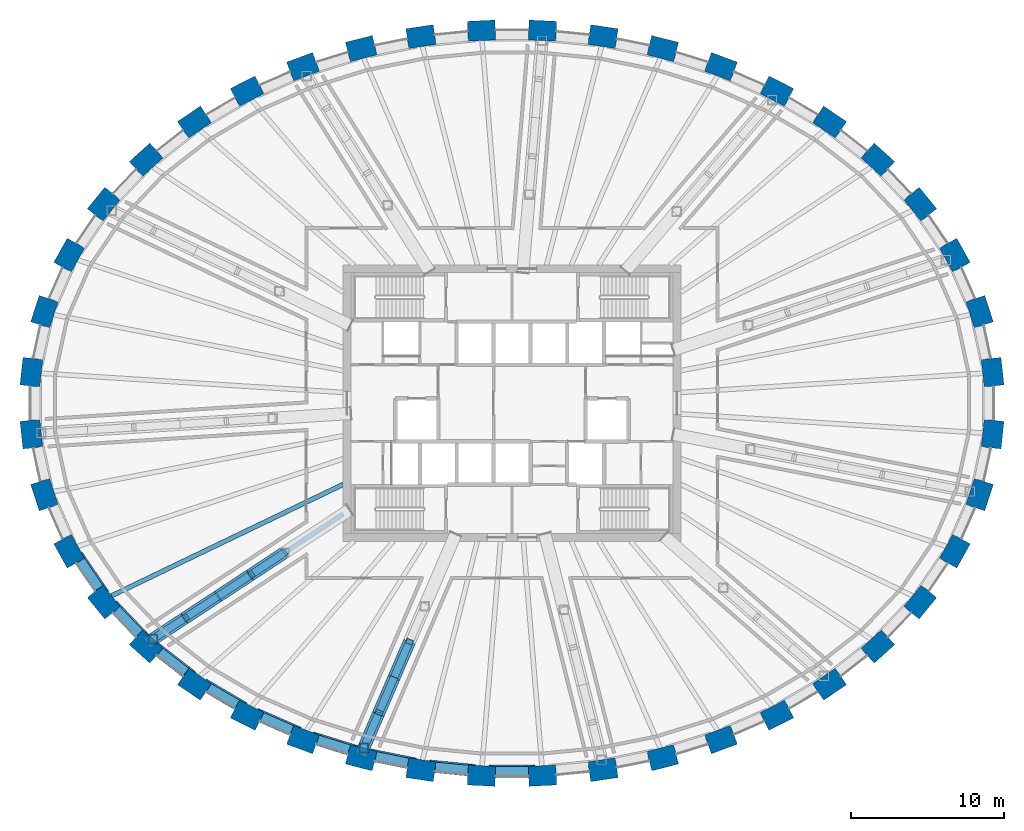
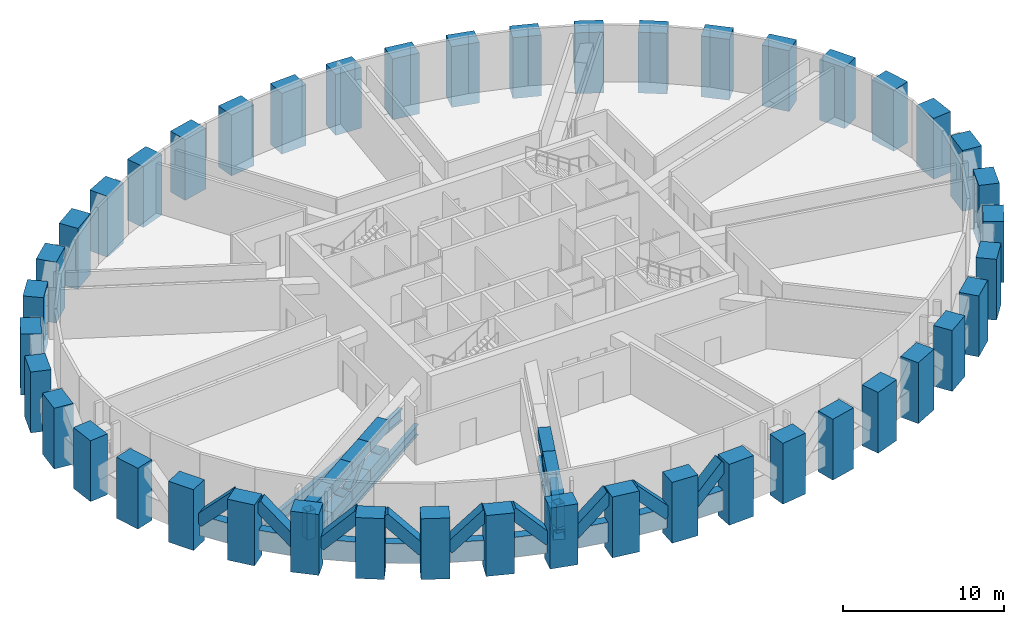
# One storey, part 1 of 12: 44 columns, 32 members, 11 beams.
"""IFC4 building model written with IfcOpenShell, lengths in metres."""

from ifc_helpers import new_model, si_unit, direction, frame, origin, origin_2d, place, context, subcontext, project, spatial, rectangle, hollow_rectangle, i_section, extrude, source, transform, mapped, material, material_profile, profile_set, type_object, element, save


model = new_model("IFC4")

# Units and contexts
model_context = context("Model", 3, precision=1e-05, world=origin(), true_north=direction((0.0, 1.0)))
body_context = subcontext(model_context, "Body", "Model", "MODEL_VIEW")
ifc_project = project(units=[si_unit("LENGTHUNIT", "METRE"), si_unit("AREAUNIT", "SQUARE_METRE"), si_unit("VOLUMEUNIT", "CUBIC_METRE"), si_unit("PLANEANGLEUNIT", "RADIAN"), si_unit("MASSUNIT", "GRAM", prefix="KILO")], contexts=[model_context])

# Site, building, storey
site_placement = place(None, origin())
site = spatial("IfcSite", under=ifc_project, at=site_placement, CompositionType="ELEMENT")
building_placement = place(site_placement, origin())
building = spatial("IfcBuilding", under=site, at=building_placement, Name="Embergate Tower", CompositionType="ELEMENT")
storey_placement = place(building_placement, frame((0.0, 0.0, 289.0)))
storey = spatial("IfcBuildingStorey", under=building, at=storey_placement, Name="L67", CompositionType="ELEMENT", Elevation=289.0)

# Columns
ifc_material_1 = material(Name="Concrete C50", Category="concrete")
ifc_material_profile_1 = material_profile(ifc_material_1, rectangle(XDim=1.300048828125, YDim=1.800048828125, at=origin_2d()), Name="RC 1300x1800")
ifc_profile_set_1 = profile_set([ifc_material_profile_1], Name="Concrete C50")
column_type = type_object("IfcColumnType", Name="Ring column RC 1300x1800 C50", PredefinedType="COLUMN", material=ifc_profile_set_1)
shared_shape_1 = source(origin(), body_context, "Body", "SweptSolid", [
    extrude(rectangle(XDim=1.300048828125, YDim=1.800048828125, at=origin_2d()), origin(), (0.0, 0.0, 1.0), 4.60009765625),
])
for number, where, z_axis, x_axis, name in (
    (1, (31.31103515625, 2.01708984375, -1.5), (0.0, 0.0, 1.0), (0.99428589498, 0.106749983816, 0.0), "COL-L67-00"),
    (2, (30.462890625, 5.9580078125, -1.5), (0.0, 0.0, 1.0), (0.950754033697, 0.309946394413, 0.0), "COL-L67-01"),
    (3, (28.846923828125, 9.64208984375, -1.5), (0.0, 0.0, 1.0), (0.873491969053, 0.486838556403, 0.0), "COL-L67-02"),
    (4, (26.592041015625, 12.9599609375, -1.5), (0.0, 0.0, 1.0), (0.775914301615, 0.630838328377, 0.0), "COL-L67-03"),
    (5, (23.8310546875, 15.85498046875, -1.5), (0.0, 0.0, 1.0), (0.669208424634, 0.74307475021, 0.0), "COL-L67-04"),
    (6, (20.68603515625, 18.31005859375, -1.5), (0.0, 0.0, 1.0), (0.560393279442, 0.828226643109, 0.0), "COL-L67-05"),
    (7, (17.2529296875, 20.327880859375, -1.5), (0.0, 0.0, 1.0), (0.452994952881, 0.891513080478, 0.0), "COL-L67-06"),
    (8, (13.611083984375, 21.9208984375, -1.5), (0.0, 0.0, 1.0), (0.348343015724, 0.93736713373, 0.0), "COL-L67-07"),
    (9, (9.820068359375, 23.10107421875, -1.5), (0.0, 0.0, 1.0), (0.246491603437, 0.969144926951, 0.0), "COL-L67-08"),
    (10, (5.928955078125, 23.882080078125, -1.5), (0.0, 0.0, 1.0), (0.146929011949, 0.989147039346, 0.0), "COL-L67-09"),
    (11, (1.98291015625, 24.27001953125, -1.5), (0.0, 0.0, 1.0), (0.048814904854, 0.998807841912, 0.0), "COL-L67-10"),
    (12, (-1.98291015625, 24.27001953125, -1.5), (0.0, 0.0, 1.0), (-0.048814904854, 0.998807841912, 0.0), "COL-L67-11"),
    (13, (-5.928955078125, 23.882080078125, -1.5), (0.0, 0.0, 1.0), (-0.146929011949, 0.989147039346, 0.0), "COL-L67-12"),
    (14, (-9.820068359375, 23.10107421875, -1.5), (0.0, 0.0, 1.0), (-0.246491603437, 0.969144926951, 0.0), "COL-L67-13"),
    (15, (-13.611083984375, 21.9208984375, -1.5), (0.0, 0.0, 1.0), (-0.348343015724, 0.93736713373, 0.0), "COL-L67-14"),
    (16, (-17.2529296875, 20.327880859375, -1.5), (0.0, 0.0, 1.0), (-0.452994952881, 0.891513080478, 0.0), "COL-L67-15"),
    (17, (-20.68603515625, 18.31005859375, -1.5), (0.0, 0.0, 1.0), (-0.560393279442, 0.828226643109, 0.0), "COL-L67-16"),
    (18, (-23.8310546875, 15.85498046875, -1.5), (0.0, 0.0, 1.0), (-0.669208424634, 0.74307475021, 0.0), "COL-L67-17"),
    (19, (-26.592041015625, 12.9599609375, -1.5), (0.0, 0.0, 1.0), (-0.775914301615, 0.630838328377, 0.0), "COL-L67-18"),
    (20, (-28.846923828125, 9.64208984375, -1.5), (0.0, 0.0, 1.0), (-0.873491969053, 0.486838556403, 0.0), "COL-L67-19"),
    (21, (-30.462890625, 5.9580078125, -1.5), (0.0, 0.0, 1.0), (-0.950754033697, 0.309946394413, 0.0), "COL-L67-20"),
    (22, (-31.31103515625, 2.01708984375, -1.5), (0.0, 0.0, 1.0), (-0.99428589498, 0.106749983816, 0.0), "COL-L67-21"),
    (23, (-31.31103515625, -2.01708984375, -1.5), (0.0, 0.0, 1.0), (-0.99428589498, -0.106749983816, 0.0), "COL-L67-22"),
    (24, (-30.462890625, -5.9580078125, -1.5), (0.0, 0.0, 1.0), (-0.950754033697, -0.309946394413, 0.0), "COL-L67-23"),
    (25, (-28.846923828125, -9.64208984375, -1.5), (0.0, 0.0, 1.0), (-0.873491969053, -0.486838556403, 0.0), "COL-L67-24"),
    (26, (-26.592041015625, -12.9599609375, -1.5), (0.0, 0.0, 1.0), (-0.775914301615, -0.630838328377, 0.0), "COL-L67-25"),
    (27, (-23.8310546875, -15.85498046875, -1.5), (0.0, 0.0, 1.0), (-0.669208424634, -0.74307475021, 0.0), "COL-L67-26"),
    (28, (-20.68603515625, -18.31005859375, -1.5), (0.0, 0.0, 1.0), (-0.560393279442, -0.828226643109, 0.0), "COL-L67-27"),
    (29, (-17.2529296875, -20.327880859375, -1.5), (0.0, 0.0, 1.0), (-0.452994952881, -0.891513080478, 0.0), "COL-L67-28"),
    (30, (-13.611083984375, -21.9208984375, -1.5), (0.0, 0.0, 1.0), (-0.348343015724, -0.93736713373, 0.0), "COL-L67-29"),
    (31, (-9.820068359375, -23.10107421875, -1.5), (0.0, 0.0, 1.0), (-0.246491603437, -0.969144926951, 0.0), "COL-L67-30"),
    (32, (-5.928955078125, -23.882080078125, -1.5), (0.0, 0.0, 1.0), (-0.146929011949, -0.989147039346, 0.0), "COL-L67-31"),
    (33, (-1.98291015625, -24.27001953125, -1.5), (0.0, 0.0, 1.0), (-0.048814904854, -0.998807841912, 0.0), "COL-L67-32"),
    (34, (1.98291015625, -24.27001953125, -1.5), (0.0, 0.0, 1.0), (0.048814904854, -0.998807841912, 0.0), "COL-L67-33"),
    (35, (5.928955078125, -23.882080078125, -1.5), (0.0, 0.0, 1.0), (0.146929011949, -0.989147039346, 0.0), "COL-L67-34"),
    (36, (9.820068359375, -23.10107421875, -1.5), (0.0, 0.0, 1.0), (0.246491603437, -0.969144926951, 0.0), "COL-L67-35"),
    (37, (13.611083984375, -21.9208984375, -1.5), (0.0, 0.0, 1.0), (0.348343015724, -0.93736713373, 0.0), "COL-L67-36"),
    (38, (17.2529296875, -20.327880859375, -1.5), (0.0, 0.0, 1.0), (0.452994952881, -0.891513080478, 0.0), "COL-L67-37"),
    (39, (20.68603515625, -18.31005859375, -1.5), (0.0, 0.0, 1.0), (0.560393279442, -0.828226643109, 0.0), "COL-L67-38"),
    (40, (23.8310546875, -15.85498046875, -1.5), (0.0, 0.0, 1.0), (0.669208424634, -0.74307475021, 0.0), "COL-L67-39"),
    (41, (26.592041015625, -12.9599609375, -1.5), (0.0, 0.0, 1.0), (0.775914301615, -0.630838328377, 0.0), "COL-L67-40"),
    (42, (28.846923828125, -9.64208984375, -1.5), (0.0, 0.0, 1.0), (0.873491969053, -0.486838556403, 0.0), "COL-L67-41"),
    (43, (30.462890625, -5.9580078125, -1.5), (0.0, 0.0, 1.0), (0.950754033697, -0.309946394413, 0.0), "COL-L67-42"),
    (44, (31.31103515625, -2.01708984375, -1.5), (0.0, 0.0, 1.0), (0.99428589498, -0.106749983816, 0.0), "COL-L67-43"),
):
    element("IfcColumn", number, at=place(storey_placement, frame(where, z_axis=z_axis, x_axis=x_axis)), inside=storey, type_object=column_type, Name=name, PredefinedType="COLUMN", context=body_context, shape_type="MappedRepresentation", body=[
        mapped(shared_shape_1, transform((0.0, 0.0, 0.0))),
    ])

# Beams
ifc_material_profile_2 = material_profile(ifc_material_1, rectangle(XDim=0.60009765625, YDim=1.5, at=origin_2d()), Name="RC 600x1500")
ifc_profile_set_2 = profile_set([ifc_material_profile_2], Name="Concrete C50")
beam_type_1 = type_object("IfcBeamType", Name="Spandrel beam RC 600x1500 C50", PredefinedType="BEAM", material=ifc_profile_set_2)
shared_shape_2 = source(origin(), body_context, "Body", "SweptSolid", [
    extrude(rectangle(XDim=0.60009765625, YDim=1.5, at=origin_2d()), origin(), (0.0, 0.0, 1.0), 2.15771484375),
])
beam_1_placement = place(storey_placement, frame((-28.10498046875, -10.259033203125, 0.0), z_axis=(0.562560674067, -0.826756002696, 0.0), x_axis=(0.826756002696, 0.562560674067, 0.0)))
element("IfcBeam", 45, at=beam_1_placement, inside=storey, type_object=beam_type_1, Name="SPN-L67-24", PredefinedType="BEAM", context=body_context, shape_type="MappedRepresentation", body=[
    mapped(shared_shape_2, transform((0.0, 0.0, 0.0))),
])
shared_shape_3 = source(origin(), body_context, "Body", "SweptSolid", [
    extrude(rectangle(XDim=0.60009765625, YDim=1.5, at=origin_2d()), origin(), (0.0, 0.0, 1.0), 2.153076171875),
])
beam_2_placement = place(storey_placement, frame((-25.760009765625, -13.444091796875, 0.0), z_axis=(0.690241072709, -0.723579478389, 0.0), x_axis=(0.723579478389, 0.690241072709, 0.0)))
element("IfcBeam", 46, at=beam_2_placement, inside=storey, type_object=beam_type_1, Name="SPN-L67-25", PredefinedType="BEAM", context=body_context, shape_type="MappedRepresentation", body=[
    mapped(shared_shape_3, transform((0.0, 0.0, 0.0))),
])
shared_shape_4 = source(origin(), body_context, "Body", "SweptSolid", [
    extrude(rectangle(XDim=0.60009765625, YDim=1.5, at=origin_2d()), origin(), (0.0, 0.0, 1.0), 2.14501953125),
])
beam_3_placement = place(storey_placement, frame((-22.926025390625, -16.195068359375, 0.0), z_axis=(0.788296932823, -0.615295007052, 0.0), x_axis=(0.615295007052, 0.788296932823, 0.0)))
element("IfcBeam", 47, at=beam_3_placement, inside=storey, type_object=beam_type_1, Name="SPN-L67-26", PredefinedType="BEAM", context=body_context, shape_type="MappedRepresentation", body=[
    mapped(shared_shape_4, transform((0.0, 0.0, 0.0))),
])
shared_shape_5 = source(origin(), body_context, "Body", "SweptSolid", [
    extrude(rectangle(XDim=0.60009765625, YDim=1.5, at=origin_2d()), origin(), (0.0, 0.0, 1.0), 2.142822265625),
])
beam_4_placement = place(storey_placement, frame((-19.74609375, -18.527099609375, 0.0), z_axis=(0.862063064419, -0.506801019103, 0.0), x_axis=(0.506801019103, 0.862063064419, 0.0)))
element("IfcBeam", 48, at=beam_4_placement, inside=storey, type_object=beam_type_1, Name="SPN-L67-27", PredefinedType="BEAM", context=body_context, shape_type="MappedRepresentation", body=[
    mapped(shared_shape_5, transform((0.0, 0.0, 0.0))),
])
shared_shape_6 = source(origin(), body_context, "Body", "SweptSolid", [
    extrude(rectangle(XDim=0.60009765625, YDim=1.5, at=origin_2d()), origin(), (0.0, 0.0, 1.0), 2.13916015625),
])
beam_5_placement = place(storey_placement, frame((-16.2958984375, -20.430908203125, 0.0), z_axis=(0.916209713136, -0.400699091034, 0.0), x_axis=(0.400699091034, 0.916209713136, 0.0)))
element("IfcBeam", 49, at=beam_5_placement, inside=storey, type_object=beam_type_1, Name="SPN-L67-28", PredefinedType="BEAM", context=body_context, shape_type="MappedRepresentation", body=[
    mapped(shared_shape_6, transform((0.0, 0.0, 0.0))),
])
shared_shape_7 = source(origin(), body_context, "Body", "SweptSolid", [
    extrude(rectangle(XDim=0.60009765625, YDim=1.5, at=origin_2d()), origin(), (0.0, 0.0, 1.0), 2.137451171875),
])
beam_6_placement = place(storey_placement, frame((-12.64990234375, -21.91796875, 0.0), z_axis=(0.954853176449, -0.297078123438, 0.0), x_axis=(0.297078123438, 0.954853176449, 0.0)))
element("IfcBeam", 50, at=beam_6_placement, inside=storey, type_object=beam_type_1, Name="SPN-L67-29", PredefinedType="BEAM", context=body_context, shape_type="MappedRepresentation", body=[
    mapped(shared_shape_7, transform((0.0, 0.0, 0.0))),
])
shared_shape_8 = source(origin(), body_context, "Body", "SweptSolid", [
    extrude(rectangle(XDim=0.60009765625, YDim=1.5, at=origin_2d()), origin(), (0.0, 0.0, 1.0), 2.13671875),
])
beam_7_placement = place(storey_placement, frame((-8.864990234375, -22.998046875, 0.0), z_axis=(0.980497086391, -0.196533619461, 0.0), x_axis=(0.196533619461, 0.980497086391, 0.0)))
element("IfcBeam", 51, at=beam_7_placement, inside=storey, type_object=beam_type_1, Name="SPN-L67-30", PredefinedType="BEAM", context=body_context, shape_type="MappedRepresentation", body=[
    mapped(shared_shape_8, transform((0.0, 0.0, 0.0))),
])
shared_shape_9 = source(origin(), body_context, "Body", "SweptSolid", [
    extrude(rectangle(XDim=0.60009765625, YDim=1.5, at=origin_2d()), origin(), (0.0, 0.0, 1.0), 2.13427734375),
])
beam_8_placement = place(storey_placement, frame((-4.989990234375, -23.68408203125, 0.0), z_axis=(0.995194487499, -0.097917986356, 0.0), x_axis=(0.097917986356, 0.995194487499, 0.0)))
element("IfcBeam", 52, at=beam_8_placement, inside=storey, type_object=beam_type_1, Name="SPN-L67-31", PredefinedType="BEAM", context=body_context, shape_type="MappedRepresentation", body=[
    mapped(shared_shape_9, transform((0.0, 0.0, 0.0))),
])
shared_shape_10 = source(origin(), body_context, "Body", "SweptSolid", [
    extrude(rectangle(XDim=0.60009765625, YDim=1.5, at=origin_2d()), origin(), (0.0, 0.0, 1.0), 2.13623046875),
])
beam_9_placement = place(storey_placement, frame((-1.068115234375, -23.98095703125, 0.0), z_axis=(1.0, 0.0, 0.0), x_axis=(0.0, 1.0, 0.0)))
element("IfcBeam", 53, at=beam_9_placement, inside=storey, type_object=beam_type_1, Name="SPN-L67-32", PredefinedType="BEAM", context=body_context, shape_type="MappedRepresentation", body=[
    mapped(shared_shape_10, transform((0.0, 0.0, 0.0))),
])
ifc_material_2 = material(Name="Steel Q355B", Category="steel")
ifc_material_profile_3 = material_profile(ifc_material_2, i_section(OverallWidth=0.300048828125, OverallDepth=0.89990234375, WebThickness=0.01611328125, FlangeThickness=0.028076171875, FilletRadius=0.028076171875, at=origin_2d()), Name="HN 900x300x16x28")
ifc_profile_set_3 = profile_set([ifc_material_profile_3], Name="Steel Q355 grade B")
beam_type_2 = type_object("IfcBeamType", Name="Plant girder HN 900x300x16x28", PredefinedType="BEAM", material=ifc_profile_set_3)
shared_shape_11 = source(origin(), body_context, "Body", "SweptSolid", [
    extrude(i_section(OverallWidth=0.300048828125, OverallDepth=0.89990234375, WebThickness=0.01611328125, FlangeThickness=0.028076171875, FilletRadius=0.028076171875, at=origin_2d()), origin(), (0.0, 0.0, 1.0), 16.742919921875),
])
beam_10_placement = place(storey_placement, frame((-26.087890625, -12.550048828125, -0.75), z_axis=(0.901152969727, 0.433501240081, 0.0), x_axis=(-0.433501240081, 0.901152969727, 0.0)))
element("IfcBeam", 54, at=beam_10_placement, inside=storey, type_object=beam_type_2, Name="GIR-L67-25", PredefinedType="BEAM", context=body_context, shape_type="MappedRepresentation", body=[
    mapped(shared_shape_11, transform((0.0, 0.0, 0.0))),
])
ifc_material_profile_4 = material_profile(ifc_material_2, i_section(OverallWidth=0.300048828125, OverallDepth=0.800048828125, WebThickness=0.013916015625, FlangeThickness=0.02587890625, FilletRadius=0.028076171875, at=origin_2d()), Name="HN 800x300x14x26")
ifc_profile_set_4 = profile_set([ifc_material_profile_4], Name="Steel Q355 grade B")
beam_type_3 = type_object("IfcBeamType", Name="Plant girder HN 800x300x14x26", PredefinedType="BEAM", material=ifc_profile_set_4)
shared_shape_12 = source(origin(), body_context, "Body", "SweptSolid", [
    extrude(i_section(OverallWidth=0.300048828125, OverallDepth=0.800048828125, WebThickness=0.013916015625, FlangeThickness=0.02587890625, FilletRadius=0.028076171875, at=origin_2d()), origin(), (0.0, 0.0, 1.0), 14.83251953125),
])
beam_11_placement = place(storey_placement, frame((-23.39599609375, -15.3720703125, -0.699951171875), z_axis=(0.835733968997, 0.549134530935, 0.0), x_axis=(-0.549134530935, 0.835733968997, 0.0)))
element("IfcBeam", 55, at=beam_11_placement, inside=storey, type_object=beam_type_3, Name="GIR-L67-26", PredefinedType="BEAM", context=body_context, shape_type="MappedRepresentation", body=[
    mapped(shared_shape_12, transform((0.0, 0.0, 0.0))),
])

# Members
ifc_material_profile_5 = material_profile(ifc_material_2, hollow_rectangle(XDim=0.60009765625, YDim=0.60009765625, WallThickness=0.028076171875, at=origin_2d()), Name="BOX 600x600x28")
ifc_profile_set_5 = profile_set([ifc_material_profile_5], Name="Steel Q355 grade B")
member_type_1 = type_object("IfcMemberType", Name="Outrigger post BOX 600x600x28", PredefinedType="POST", material=ifc_profile_set_5)
shared_shape_13 = source(origin(), body_context, "Body", "SweptSolid", [
    extrude(hollow_rectangle(XDim=0.60009765625, YDim=0.60009765625, WallThickness=0.028076171875, at=origin_2d()), origin(), (0.0, 0.0, 1.0), 2.150146484375),
])
for number, where, z_axis, x_axis, name in (
    (56, (-23.39599609375, -15.3720703125, 0.39990234375), (0.0, 0.0, 1.0), (1.0, 0.0, 0.0), "OUT-L67-26-PO04"),
    (57, (-9.659912109375, -22.470947265625, 0.39990234375), (0.0, 0.0, 1.0), (1.0, 0.0, 0.0), "OUT-L67-30-PO04"),
):
    element("IfcMember", number, at=place(storey_placement, frame(where, z_axis=z_axis, x_axis=x_axis)), inside=storey, type_object=member_type_1, Name=name, PredefinedType="POST", context=body_context, shape_type="MappedRepresentation", body=[
        mapped(shared_shape_13, transform((0.0, 0.0, 0.0))),
    ])
ifc_material_profile_6 = material_profile(ifc_material_2, hollow_rectangle(XDim=0.800048828125, YDim=0.800048828125, WallThickness=0.0400390625, at=origin_2d()), Name="BOX 800x800x40")
ifc_profile_set_6 = profile_set([ifc_material_profile_6], Name="Steel Q355 grade B")
member_type_2 = type_object("IfcMemberType", Name="Outrigger chord BOX 800x800x40", PredefinedType="CHORD", material=ifc_profile_set_6)
shared_shape_14 = source(origin(), body_context, "Body", "SweptSolid", [
    extrude(hollow_rectangle(XDim=0.800048828125, YDim=0.800048828125, WallThickness=0.0400390625, at=origin_2d()), origin(), (0.0, 0.0, 1.0), 2.65869140625),
])
for number, where, z_axis, x_axis, name in (
    (58, (-14.843994140625, -9.7529296875, 2.550048828125), (-0.835733173845, -0.549135741083, 0.0), (0.549135741083, -0.835733173845, 0.0), "OUT-L67-26-TC01"),
    (59, (-14.843994140625, -9.7529296875, 0.39990234375), (-0.835733173845, -0.549135741083, 0.0), (0.549135741083, -0.835733173845, 0.0), "OUT-L67-26-BC00"),
):
    element("IfcMember", number, at=place(storey_placement, frame(where, z_axis=z_axis, x_axis=x_axis)), inside=storey, type_object=member_type_2, Name=name, PredefinedType="CHORD", context=body_context, shape_type="MappedRepresentation", body=[
        mapped(shared_shape_14, transform((0.0, 0.0, 0.0))),
    ])
shared_shape_15 = source(origin(), body_context, "Body", "SweptSolid", [
    extrude(hollow_rectangle(XDim=0.800048828125, YDim=0.800048828125, WallThickness=0.0400390625, at=origin_2d()), origin(), (0.0, 0.0, 1.0), 2.658203125),
])
for number, where, z_axis, x_axis, name in (
    (60, (-16.98193359375, -11.157958984375, 2.550048828125), (-0.835929408094, -0.548836974596, 0.0), (0.548836974596, -0.835929408094, 0.0), "OUT-L67-26-TC02"),
    (61, (-19.1201171875, -12.56298828125, 2.550048828125), (-0.83590174062, -0.548879112399, 0.0), (0.548879112399, -0.83590174062, 0.0), "OUT-L67-26-TC03"),
    (62, (-16.98193359375, -11.157958984375, 0.39990234375), (-0.835929408094, -0.548836974596, 0.0), (0.548836974596, -0.835929408094, 0.0), "OUT-L67-26-BC01"),
    (63, (-19.1201171875, -12.56298828125, 0.39990234375), (-0.83590174062, -0.548879112399, 0.0), (0.548879112399, -0.83590174062, 0.0), "OUT-L67-26-BC02"),
):
    element("IfcMember", number, at=place(storey_placement, frame(where, z_axis=z_axis, x_axis=x_axis)), inside=storey, type_object=member_type_2, Name=name, PredefinedType="CHORD", context=body_context, shape_type="MappedRepresentation", body=[
        mapped(shared_shape_15, transform((0.0, 0.0, 0.0))),
    ])
shared_shape_16 = source(origin(), body_context, "Body", "SweptSolid", [
    extrude(hollow_rectangle(XDim=0.800048828125, YDim=0.800048828125, WallThickness=0.0400390625, at=origin_2d()), origin(), (0.0, 0.0, 1.0), 3.05859375),
])
for number, where, z_axis, x_axis, name in (
    (64, (-21.258056640625, -13.967041015625, 2.550048828125), (-0.83565523484, -0.549254338612, 0.0), (0.549254338612, -0.83565523484, 0.0), "OUT-L67-26-TC04"),
    (65, (-21.258056640625, -13.967041015625, 0.39990234375), (-0.83565523484, -0.549254338612, 0.0), (0.549254338612, -0.83565523484, 0.0), "OUT-L67-26-BC03"),
):
    element("IfcMember", number, at=place(storey_placement, frame(where, z_axis=z_axis, x_axis=x_axis)), inside=storey, type_object=member_type_2, Name=name, PredefinedType="CHORD", context=body_context, shape_type="MappedRepresentation", body=[
        mapped(shared_shape_16, transform((0.0, 0.0, 0.0))),
    ])
ifc_material_profile_7 = material_profile(ifc_material_2, hollow_rectangle(XDim=0.5, YDim=0.5, WallThickness=0.02490234375, at=origin_2d()), Name="BOX 500x500x25")
ifc_profile_set_7 = profile_set([ifc_material_profile_7], Name="Steel Q355 grade B")
member_type_3 = type_object("IfcMemberType", Name="Outrigger diagonal BOX 500x500x25", PredefinedType="BRACE", material=ifc_profile_set_7)
shared_shape_17 = source(origin(), body_context, "Body", "SweptSolid", [
    extrude(hollow_rectangle(XDim=0.5, YDim=0.5, WallThickness=0.02490234375, at=origin_2d()), origin(), (0.0, 0.0, 1.0), 3.341796875),
])
for number, where, z_axis, x_axis, name in (
    (66, (-14.843994140625, -9.7529296875, 0.39990234375), (-0.639745536992, -0.420433432156, 0.643398303561), (0.549204546083, -0.835687960043, 0.0), "OUT-L67-26-DG00"),
    (67, (-21.258056640625, -13.967041015625, 2.550048828125), (-0.639745536992, -0.420433432156, -0.643398303561), (0.549204546083, -0.835687960043, 0.0), "OUT-L67-26-DG03"),
):
    element("IfcMember", number, at=place(storey_placement, frame(where, z_axis=z_axis, x_axis=x_axis)), inside=storey, type_object=member_type_3, Name=name, PredefinedType="BRACE", context=body_context, shape_type="MappedRepresentation", body=[
        mapped(shared_shape_17, transform((0.0, 0.0, 0.0))),
    ])
shared_shape_18 = source(origin(), body_context, "Body", "SweptSolid", [
    extrude(hollow_rectangle(XDim=0.5, YDim=0.5, WallThickness=0.02490234375, at=origin_2d()), origin(), (0.0, 0.0, 1.0), 3.342041015625),
])
member_1_placement = place(storey_placement, frame((-16.98193359375, -11.157958984375, 2.550048828125), z_axis=(-0.639788689624, -0.420413782689, -0.64336823356), x_axis=(0.549160749532, -0.835716740991, 0.0)))
element("IfcMember", 68, at=member_1_placement, inside=storey, type_object=member_type_3, Name="OUT-L67-26-DG01", PredefinedType="BRACE", context=body_context, shape_type="MappedRepresentation", body=[
    mapped(shared_shape_18, transform((0.0, 0.0, 0.0))),
])
shared_shape_19 = source(origin(), body_context, "Body", "SweptSolid", [
    extrude(hollow_rectangle(XDim=0.5, YDim=0.5, WallThickness=0.02490234375, at=origin_2d()), origin(), (0.0, 0.0, 1.0), 3.341552734375),
])
member_2_placement = place(storey_placement, frame((-19.1201171875, -12.56298828125, 0.39990234375), z_axis=(-0.639824123045, -0.420192820787, 0.643477338318), x_axis=(0.548937876401, -0.83586315139, 0.0)))
element("IfcMember", 69, at=member_2_placement, inside=storey, type_object=member_type_3, Name="OUT-L67-26-DG02", PredefinedType="BRACE", context=body_context, shape_type="MappedRepresentation", body=[
    mapped(shared_shape_19, transform((0.0, 0.0, 0.0))),
])
shared_shape_20 = source(origin(), body_context, "Body", "SweptSolid", [
    extrude(hollow_rectangle(XDim=0.800048828125, YDim=0.800048828125, WallThickness=0.0400390625, at=origin_2d()), origin(), (0.0, 0.0, 1.0), 2.615478515625),
])
for number, where, z_axis, x_axis, name in (
    (70, (-6.678955078125, -15.537109375, 2.550048828125), (-0.394944243172, -0.918705091302, 0.0), (0.918705091302, -0.394944243172, 0.0), "OUT-L67-30-TC02"),
    (71, (-7.673095703125, -17.84912109375, 2.550048828125), (-0.394944243172, -0.918705091302, 0.0), (0.918705091302, -0.394944243172, 0.0), "OUT-L67-30-TC03"),
    (72, (-6.678955078125, -15.537109375, 0.39990234375), (-0.394944243172, -0.918705091302, 0.0), (0.918705091302, -0.394944243172, 0.0), "OUT-L67-30-BC01"),
    (73, (-7.673095703125, -17.84912109375, 0.39990234375), (-0.394944243172, -0.918705091302, 0.0), (0.918705091302, -0.394944243172, 0.0), "OUT-L67-30-BC02"),
):
    element("IfcMember", number, at=place(storey_placement, frame(where, z_axis=z_axis, x_axis=x_axis)), inside=storey, type_object=member_type_2, Name=name, PredefinedType="CHORD", context=body_context, shape_type="MappedRepresentation", body=[
        mapped(shared_shape_20, transform((0.0, 0.0, 0.0))),
    ])
shared_shape_21 = source(origin(), body_context, "Body", "SweptSolid", [
    extrude(hollow_rectangle(XDim=0.800048828125, YDim=0.800048828125, WallThickness=0.0400390625, at=origin_2d()), origin(), (0.0, 0.0, 1.0), 3.01513671875),
])
for number, where, z_axis, x_axis, name in (
    (74, (-8.666015625, -20.159912109375, 2.550048828125), (-0.394974448411, -0.918692105714, 0.0), (0.918692105714, -0.394974448411, 0.0), "OUT-L67-30-TC04"),
    (75, (-8.666015625, -20.159912109375, 0.39990234375), (-0.394974448411, -0.918692105714, 0.0), (0.918692105714, -0.394974448411, 0.0), "OUT-L67-30-BC03"),
):
    element("IfcMember", number, at=place(storey_placement, frame(where, z_axis=z_axis, x_axis=x_axis)), inside=storey, type_object=member_type_2, Name=name, PredefinedType="CHORD", context=body_context, shape_type="MappedRepresentation", body=[
        mapped(shared_shape_21, transform((0.0, 0.0, 0.0))),
    ])
shared_shape_22 = source(origin(), body_context, "Body", "SweptSolid", [
    extrude(hollow_rectangle(XDim=0.5, YDim=0.5, WallThickness=0.02490234375, at=origin_2d()), origin(), (0.0, 0.0, 1.0), 3.31005859375),
])
member_3_placement = place(storey_placement, frame((-6.678955078125, -15.537109375, 2.550048828125), z_axis=(-0.300334406876, -0.69846926157, -0.649569037661), x_axis=(0.918672707989, -0.395019563562, 0.0)))
element("IfcMember", 76, at=member_3_placement, inside=storey, type_object=member_type_3, Name="OUT-L67-30-DG01", PredefinedType="BRACE", context=body_context, shape_type="MappedRepresentation", body=[
    mapped(shared_shape_22, transform((0.0, 0.0, 0.0))),
])
shared_shape_23 = source(origin(), body_context, "Body", "SweptSolid", [
    extrude(hollow_rectangle(XDim=0.5, YDim=0.5, WallThickness=0.02490234375, at=origin_2d()), origin(), (0.0, 0.0, 1.0), 3.308837890625),
])
member_4_placement = place(storey_placement, frame((-7.673095703125, -17.84912109375, 0.39990234375), z_axis=(-0.300076136125, -0.698357666197, 0.649808342969), x_axis=(0.91877307514, -0.394786064088, 0.0)))
element("IfcMember", 77, at=member_4_placement, inside=storey, type_object=member_type_3, Name="OUT-L67-30-DG02", PredefinedType="BRACE", context=body_context, shape_type="MappedRepresentation", body=[
    mapped(shared_shape_23, transform((0.0, 0.0, 0.0))),
])
shared_shape_24 = source(origin(), body_context, "Body", "SweptSolid", [
    extrude(hollow_rectangle(XDim=0.5, YDim=0.5, WallThickness=0.02490234375, at=origin_2d()), origin(), (0.0, 0.0, 1.0), 3.309326171875),
])
member_5_placement = place(storey_placement, frame((-8.666015625, -20.159912109375, 2.550048828125), z_axis=(-0.300329184932, -0.698333594834, -0.649717300835), x_axis=(0.918647350796, -0.395078530012, 0.0)))
element("IfcMember", 78, at=member_5_placement, inside=storey, type_object=member_type_3, Name="OUT-L67-30-DG03", PredefinedType="BRACE", context=body_context, shape_type="MappedRepresentation", body=[
    mapped(shared_shape_24, transform((0.0, 0.0, 0.0))),
])
ifc_material_3 = material(Name="Concrete C70", Category="concrete")
ifc_material_profile_8 = material_profile(ifc_material_3, rectangle(XDim=0.800048828125, YDim=0.800048828125, at=origin_2d()), Name="RC 800x800")
ifc_profile_set_8 = profile_set([ifc_material_profile_8], Name="Concrete C70")
member_type_4 = type_object("IfcMemberType", Name="Belt ring diagonal RC 800x800", PredefinedType="BRACE", material=ifc_profile_set_8)
shared_shape_25 = source(origin(), body_context, "Body", "SweptSolid", [
    extrude(rectangle(XDim=0.800048828125, YDim=0.800048828125, at=origin_2d()), origin(), (0.0, 0.0, 1.0), 3.597900390625),
])
member_6_placement = place(storey_placement, frame((-28.18408203125, -10.14306640625, 0.2900390625), z_axis=(0.394460450142, -0.579781538966, 0.712919574951), x_axis=(0.826787888734, 0.562513810535, 0.0)))
element("IfcMember", 79, at=member_6_placement, inside=storey, type_object=member_type_4, Name="BLT-L67-24", PredefinedType="BRACE", context=body_context, shape_type="MappedRepresentation", body=[
    mapped(shared_shape_25, transform((0.0, 0.0, 0.0))),
])
shared_shape_26 = source(origin(), body_context, "Body", "SweptSolid", [
    extrude(rectangle(XDim=0.800048828125, YDim=0.800048828125, at=origin_2d()), origin(), (0.0, 0.0, 1.0), 3.59375),
])
member_7_placement = place(storey_placement, frame((-24.118896484375, -15.1640625, 0.205078125), z_axis=(-0.483611560702, 0.506708615153, 0.713698982544), x_axis=(-0.723401780179, -0.690427305684, 0.0)))
element("IfcMember", 80, at=member_7_placement, inside=storey, type_object=member_type_4, Name="BLT-L67-25", PredefinedType="BRACE", context=body_context, shape_type="MappedRepresentation", body=[
    mapped(shared_shape_26, transform((0.0, 0.0, 0.0))),
])
shared_shape_27 = source(origin(), body_context, "Body", "SweptSolid", [
    extrude(rectangle(XDim=0.800048828125, YDim=0.800048828125, at=origin_2d()), origin(), (0.0, 0.0, 1.0), 3.608642578125),
])
member_8_placement = place(storey_placement, frame((-23.035888671875, -16.10888671875, 0.2900390625), z_axis=(0.550851328961, -0.4300862071, 0.715254267966), x_axis=(0.615407307632, 0.788209265178, 0.0)))
element("IfcMember", 81, at=member_8_placement, inside=storey, type_object=member_type_4, Name="BLT-L67-26", PredefinedType="BRACE", context=body_context, shape_type="MappedRepresentation", body=[
    mapped(shared_shape_27, transform((0.0, 0.0, 0.0))),
])
shared_shape_28 = source(origin(), body_context, "Body", "SweptSolid", [
    extrude(rectangle(XDim=0.800048828125, YDim=0.800048828125, at=origin_2d()), origin(), (0.0, 0.0, 1.0), 3.587158203125),
])
member_9_placement = place(storey_placement, frame((-17.7060546875, -19.72607421875, 0.2041015625), z_axis=(-0.602137183008, 0.354054213407, 0.715595155663), x_axis=(-0.50686682448, -0.862024374505, 0.0)))
element("IfcMember", 82, at=member_9_placement, inside=storey, type_object=member_type_4, Name="BLT-L67-27", PredefinedType="BRACE", context=body_context, shape_type="MappedRepresentation", body=[
    mapped(shared_shape_28, transform((0.0, 0.0, 0.0))),
])
shared_shape_29 = source(origin(), body_context, "Body", "SweptSolid", [
    extrude(rectangle(XDim=0.800048828125, YDim=0.800048828125, at=origin_2d()), origin(), (0.0, 0.0, 1.0), 3.58544921875),
])
member_10_placement = place(storey_placement, frame((-16.424072265625, -20.375, 0.2890625), z_axis=(0.639517358387, -0.279448385735, 0.716188626014), x_axis=(0.400409338238, 0.916336380295, 0.0)))
element("IfcMember", 83, at=member_10_placement, inside=storey, type_object=member_type_4, Name="BLT-L67-28", PredefinedType="BRACE", context=body_context, shape_type="MappedRepresentation", body=[
    mapped(shared_shape_29, transform((0.0, 0.0, 0.0))),
])
shared_shape_30 = source(origin(), body_context, "Body", "SweptSolid", [
    extrude(rectangle(XDim=0.800048828125, YDim=0.800048828125, at=origin_2d()), origin(), (0.0, 0.0, 1.0), 3.583740234375),
])
member_11_placement = place(storey_placement, frame((-10.39599609375, -22.618896484375, 0.202880859375), z_axis=(-0.666051119364, 0.207029697427, 0.71659933769), x_axis=(-0.296823134275, -0.95493247246, 0.0)))
element("IfcMember", 84, at=member_11_placement, inside=storey, type_object=member_type_4, Name="BLT-L67-29", PredefinedType="BRACE", context=body_context, shape_type="MappedRepresentation", body=[
    mapped(shared_shape_30, transform((0.0, 0.0, 0.0))),
])
shared_shape_31 = source(origin(), body_context, "Body", "SweptSolid", [
    extrude(rectangle(XDim=0.800048828125, YDim=0.800048828125, at=origin_2d()), origin(), (0.0, 0.0, 1.0), 3.542724609375),
])
member_12_placement = place(storey_placement, frame((-9.001953125, -22.970947265625, 0.2890625), z_axis=(0.683888440039, -0.136929295683, 0.716621915353), x_axis=(0.19632514084, 0.980538851384, 0.0)))
element("IfcMember", 85, at=member_12_placement, inside=storey, type_object=member_type_4, Name="BLT-L67-30", PredefinedType="BRACE", context=body_context, shape_type="MappedRepresentation", body=[
    mapped(shared_shape_31, transform((0.0, 0.0, 0.0))),
])
shared_shape_32 = source(origin(), body_context, "Body", "SweptSolid", [
    extrude(rectangle(XDim=0.800048828125, YDim=0.800048828125, at=origin_2d()), origin(), (0.0, 0.0, 1.0), 3.501708984375),
])
member_13_placement = place(storey_placement, frame((-2.699951171875, -23.908935546875, 0.260009765625), z_axis=(-0.693647427759, 0.068256189745, 0.717073454065), x_axis=(-0.097928872709, -0.995193416322, 0.0)))
element("IfcMember", 86, at=member_13_placement, inside=storey, type_object=member_type_4, Name="BLT-L67-31", PredefinedType="BRACE", context=body_context, shape_type="MappedRepresentation", body=[
    mapped(shared_shape_32, transform((0.0, 0.0, 0.0))),
])
shared_shape_33 = source(origin(), body_context, "Body", "SweptSolid", [
    extrude(rectangle(XDim=0.800048828125, YDim=0.800048828125, at=origin_2d()), origin(), (0.0, 0.0, 1.0), 3.46240234375),
])
member_14_placement = place(storey_placement, frame((-1.20703125, -23.98095703125, 0.2890625), z_axis=(0.697237472037, 0.0, 0.716840224588), x_axis=(0.0, 1.0, 0.0)))
element("IfcMember", 87, at=member_14_placement, inside=storey, type_object=member_type_4, Name="BLT-L67-32", PredefinedType="BRACE", context=body_context, shape_type="MappedRepresentation", body=[
    mapped(shared_shape_33, transform((0.0, 0.0, 0.0))),
])

save(model, "model.ifc")
